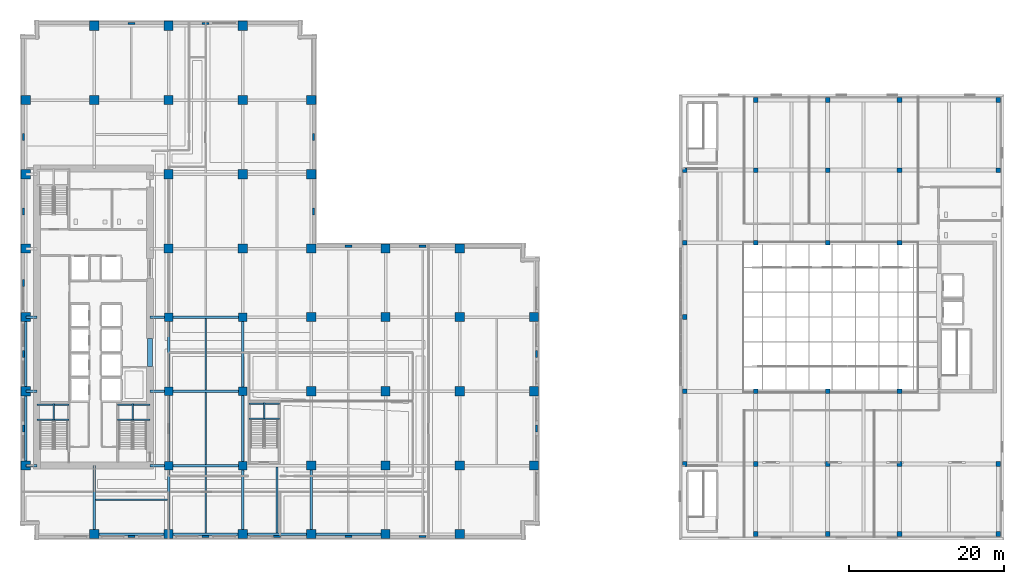
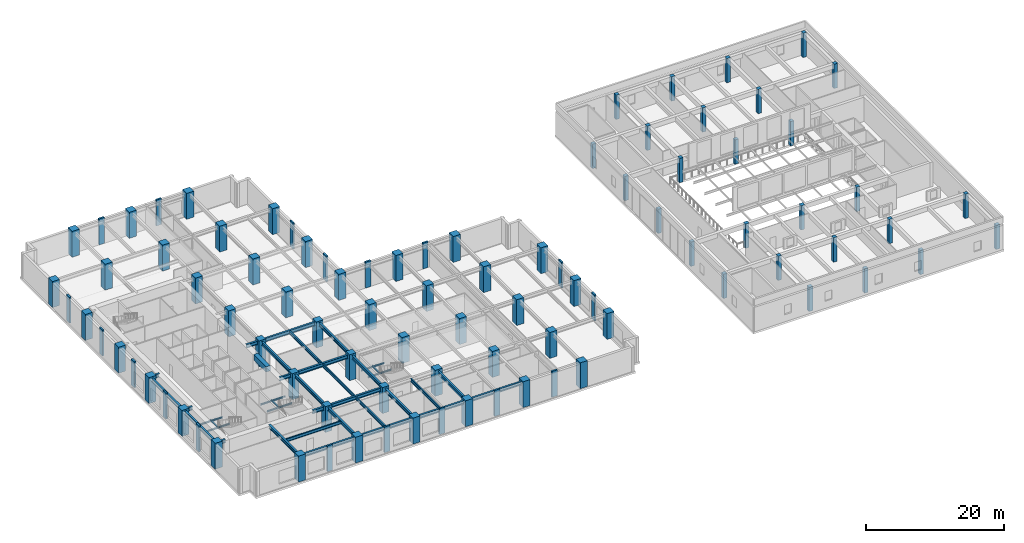
# One storey, part 1 of 21: 90 columns, 38 beams.
"""IFC4 building model written with IfcOpenShell, lengths in metres."""

from ifc_helpers import new_model, si_unit, direction, frame, origin, origin_2d, place, context, subcontext, project, spatial, rectangle, i_section, extrude, material, material_profile, profile_set, type_object, element, save


model = new_model("IFC4")

# Units and contexts
model_context = context("Model", 3, precision=1e-05, world=origin(), true_north=direction((0.0, 1.0)))
body_context = subcontext(model_context, "Body", "Model", "MODEL_VIEW")
ifc_project = project(units=[si_unit("LENGTHUNIT", "METRE"), si_unit("AREAUNIT", "SQUARE_METRE"), si_unit("VOLUMEUNIT", "CUBIC_METRE"), si_unit("PLANEANGLEUNIT", "RADIAN"), si_unit("MASSUNIT", "GRAM", prefix="KILO")], contexts=[model_context])

# Site, building, storey
site_placement = place(None, origin())
site = spatial("IfcSite", under=ifc_project, at=site_placement, CompositionType="ELEMENT")
building_placement = place(site_placement, origin())
building = spatial("IfcBuilding", under=site, at=building_placement, Name="Norrvale University Quadrangle", CompositionType="ELEMENT")
storey_placement = place(building_placement, frame((0.0, 0.0, 19.60009765625)))
storey = spatial("IfcBuildingStorey", under=building, at=storey_placement, Name="L04", CompositionType="ELEMENT", Elevation=19.60009765625)

# Columns
ifc_material_1 = material(Name="Buff Brick Concrete C60/75", Category="concrete")
ifc_material_profile_1 = material_profile(ifc_material_1, rectangle(XDim=0.89990234375, YDim=0.280029296875, at=origin_2d()), Name="Buff Brick Concrete C60/75")
ifc_profile_set_1 = profile_set([ifc_material_profile_1], Name="Buff Brick Concrete C60/75")
column_type_1 = type_object("IfcColumnType", Name="Column Buff Pier 900x280", PredefinedType="PILASTER", material=ifc_profile_set_1)
for number, where, z_axis, x_axis, name in (
    (1, (0.449951171875, 14.39990234375, 0.0), (0.0, 0.0, 1.0), (0.0, 1.0, 0.0), "Exterior Brick Facade Pilaster L04-01"),
    (2, (0.449951171875, 24.0, 0.0), (0.0, 0.0, 1.0), (0.0, 1.0, 0.0), "Exterior Brick Facade Pilaster L04-02"),
    (3, (0.449951171875, 33.199951171875, 0.0), (0.0, 0.0, 1.0), (0.0, 1.0, 0.0), "Exterior Brick Facade Pilaster L04-03"),
    (4, (0.449951171875, 42.449951171875, 0.0), (0.0, 0.0, 1.0), (0.0, 1.0, 0.0), "Exterior Brick Facade Pilaster L04-04"),
    (5, (0.449951171875, 52.050048828125, 0.0), (0.0, 0.0, 1.0), (0.0, 1.0, 0.0), "Exterior Brick Facade Pilaster L04-05"),
    (6, (14.39990234375, 0.449951171875, 0.0), (0.0, 0.0, 1.0), (1.0, 0.0, 0.0), "Exterior Brick Facade Pilaster L04-06"),
    (7, (24.0, 0.449951171875, 0.0), (0.0, 0.0, 1.0), (1.0, 0.0, 0.0), "Exterior Brick Facade Pilaster L04-07"),
    (8, (33.199951171875, 0.449951171875, 0.0), (0.0, 0.0, 1.0), (1.0, 0.0, 0.0), "Exterior Brick Facade Pilaster L04-08"),
    (9, (42.449951171875, 0.449951171875, 0.0), (0.0, 0.0, 1.0), (1.0, 0.0, 0.0), "Exterior Brick Facade Pilaster L04-09"),
    (10, (52.050048828125, 0.449951171875, 0.0), (0.0, 0.0, 1.0), (1.0, 0.0, 0.0), "Exterior Brick Facade Pilaster L04-10"),
    (11, (66.75, 14.39990234375, 0.0), (0.0, 0.0, 1.0), (0.0, 1.0, 0.0), "Exterior Brick Facade Pilaster L04-11"),
    (12, (66.75, 24.0, 0.0), (0.0, 0.0, 1.0), (0.0, 1.0, 0.0), "Exterior Brick Facade Pilaster L04-12"),
    (13, (14.39990234375, 66.75, 0.0), (0.0, 0.0, 1.0), (1.0, 0.0, 0.0), "Exterior Brick Facade Pilaster L04-13"),
    (14, (24.0, 66.75, 0.0), (0.0, 0.0, 1.0), (1.0, 0.0, 0.0), "Exterior Brick Facade Pilaster L04-14"),
    (15, (37.949951171875, 42.449951171875, 0.0), (0.0, 0.0, 1.0), (0.0, 1.0, 0.0), "Exterior Brick Facade Pilaster L04-15"),
    (16, (37.949951171875, 52.050048828125, 0.0), (0.0, 0.0, 1.0), (0.0, 1.0, 0.0), "Exterior Brick Facade Pilaster L04-16"),
    (17, (42.449951171875, 37.949951171875, 0.0), (0.0, 0.0, 1.0), (1.0, 0.0, 0.0), "Exterior Brick Facade Pilaster L04-17"),
    (18, (52.050048828125, 37.949951171875, 0.0), (0.0, 0.0, 1.0), (1.0, 0.0, 0.0), "Exterior Brick Facade Pilaster L04-18"),
):
    element("IfcColumn", number, at=place(storey_placement, frame(where, z_axis=z_axis, x_axis=x_axis)), inside=storey, type_object=column_type_1, Name=name, PredefinedType="PILASTER", context=body_context, shape_type="SweptSolid", body=[
        extrude(rectangle(XDim=0.89990234375, YDim=0.280029296875, at=origin_2d()), origin(), (0.0, 0.0, 1.0), 4.599853515625),
    ])
ifc_material_2 = material(Name="Concrete C60/75", Category="concrete")
ifc_material_profile_2 = material_profile(ifc_material_2, rectangle(XDim=0.60009765625, YDim=0.60009765625, at=origin_2d()), Name="Concrete C60/75")
ifc_profile_set_2 = profile_set([ifc_material_profile_2], Name="Concrete C60/75")
column_type_2 = type_object("IfcColumnType", Name="Column Lib 600x600", PredefinedType="COLUMN", material=ifc_profile_set_2)
for number, where, z_axis, x_axis, name in (
    (19, (85.949951171875, 9.800048828125, 0.0), (0.0, 0.0, 1.0), (1.0, 0.0, 0.0), "Library Column L04-L01"),
    (20, (85.949951171875, 19.199951171875, 0.0), (0.0, 0.0, 1.0), (1.0, 0.0, 0.0), "Library Column L04-L02"),
    (21, (85.949951171875, 28.800048828125, 0.0), (0.0, 0.0, 1.0), (1.0, 0.0, 0.0), "Library Column L04-L03"),
    (22, (85.949951171875, 38.39990234375, 0.0), (0.0, 0.0, 1.0), (1.0, 0.0, 0.0), "Library Column L04-L04"),
    (23, (85.949951171875, 47.800048828125, 0.0), (0.0, 0.0, 1.0), (1.0, 0.0, 0.0), "Library Column L04-L05"),
    (24, (95.10009765625, 0.75, 0.0), (0.0, 0.0, 1.0), (1.0, 0.0, 0.0), "Library Column L04-L06"),
    (25, (95.10009765625, 9.800048828125, 0.0), (0.0, 0.0, 1.0), (1.0, 0.0, 0.0), "Library Column L04-L07"),
    (26, (95.10009765625, 19.199951171875, 0.0), (0.0, 0.0, 1.0), (1.0, 0.0, 0.0), "Library Column L04-L08"),
    (27, (95.10009765625, 38.39990234375, 0.0), (0.0, 0.0, 1.0), (1.0, 0.0, 0.0), "Library Column L04-L09"),
    (28, (95.10009765625, 47.800048828125, 0.0), (0.0, 0.0, 1.0), (1.0, 0.0, 0.0), "Library Column L04-L10"),
    (29, (95.10009765625, 56.85009765625, 0.0), (0.0, 0.0, 1.0), (1.0, 0.0, 0.0), "Library Column L04-L11"),
    (30, (104.39990234375, 0.75, 0.0), (0.0, 0.0, 1.0), (1.0, 0.0, 0.0), "Library Column L04-L12"),
    (31, (104.39990234375, 9.800048828125, 0.0), (0.0, 0.0, 1.0), (1.0, 0.0, 0.0), "Library Column L04-L13"),
    (32, (104.39990234375, 19.199951171875, 0.0), (0.0, 0.0, 1.0), (1.0, 0.0, 0.0), "Library Column L04-L14"),
    (33, (104.39990234375, 38.39990234375, 0.0), (0.0, 0.0, 1.0), (1.0, 0.0, 0.0), "Library Column L04-L15"),
    (34, (104.39990234375, 47.800048828125, 0.0), (0.0, 0.0, 1.0), (1.0, 0.0, 0.0), "Library Column L04-L16"),
    (35, (104.39990234375, 56.85009765625, 0.0), (0.0, 0.0, 1.0), (1.0, 0.0, 0.0), "Library Column L04-L17"),
    (36, (113.699951171875, 0.75, 0.0), (0.0, 0.0, 1.0), (1.0, 0.0, 0.0), "Library Column L04-L18"),
    (37, (113.699951171875, 9.800048828125, 0.0), (0.0, 0.0, 1.0), (1.0, 0.0, 0.0), "Library Column L04-L19"),
    (38, (113.699951171875, 19.199951171875, 0.0), (0.0, 0.0, 1.0), (1.0, 0.0, 0.0), "Library Column L04-L20"),
    (39, (113.699951171875, 38.39990234375, 0.0), (0.0, 0.0, 1.0), (1.0, 0.0, 0.0), "Library Column L04-L21"),
    (40, (113.699951171875, 47.800048828125, 0.0), (0.0, 0.0, 1.0), (1.0, 0.0, 0.0), "Library Column L04-L22"),
    (41, (113.699951171875, 56.85009765625, 0.0), (0.0, 0.0, 1.0), (1.0, 0.0, 0.0), "Library Column L04-L23"),
    (42, (126.449951171875, 0.75, 0.0), (0.0, 0.0, 1.0), (1.0, 0.0, 0.0), "Library Column L04-L24"),
    (43, (126.449951171875, 9.800048828125, 0.0), (0.0, 0.0, 1.0), (1.0, 0.0, 0.0), "Library Column L04-L25"),
    (44, (126.449951171875, 47.800048828125, 0.0), (0.0, 0.0, 1.0), (1.0, 0.0, 0.0), "Library Column L04-L26"),
    (45, (126.449951171875, 56.85009765625, 0.0), (0.0, 0.0, 1.0), (1.0, 0.0, 0.0), "Library Column L04-L27"),
):
    element("IfcColumn", number, at=place(storey_placement, frame(where, z_axis=z_axis, x_axis=x_axis)), inside=storey, type_object=column_type_2, Name=name, PredefinedType="COLUMN", context=body_context, shape_type="SweptSolid", body=[
        extrude(rectangle(XDim=0.60009765625, YDim=0.60009765625, at=origin_2d()), origin(), (0.0, 0.0, 1.0), 4.31982421875),
    ])
ifc_material_3 = material(Name="Concrete C80/95", Category="concrete")
ifc_material_profile_3 = material_profile(ifc_material_3, rectangle(XDim=1.10009765625, YDim=1.10009765625, at=origin_2d()), Name="Concrete C80/95")
ifc_profile_set_3 = profile_set([ifc_material_profile_3], Name="Concrete C80/95")
column_type_3 = type_object("IfcColumnType", Name="Column Tower Z1 1100x1100", PredefinedType="COLUMN", material=ifc_profile_set_3)
for number, where, z_axis, x_axis, name in (
    (46, (19.199951171875, 9.60009765625, 0.0), (0.0, 0.0, 1.0), (1.0, 0.0, 0.0), "Tower Column L04-T11"),
    (47, (19.199951171875, 19.199951171875, 0.0), (0.0, 0.0, 1.0), (1.0, 0.0, 0.0), "Tower Column L04-T12"),
    (48, (19.199951171875, 28.800048828125, 0.0), (0.0, 0.0, 1.0), (1.0, 0.0, 0.0), "Tower Column L04-T13"),
    (49, (28.800048828125, 9.60009765625, 0.0), (0.0, 0.0, 1.0), (1.0, 0.0, 0.0), "Tower Column L04-T19"),
    (50, (28.800048828125, 19.199951171875, 0.0), (0.0, 0.0, 1.0), (1.0, 0.0, 0.0), "Tower Column L04-T20"),
    (51, (28.800048828125, 28.800048828125, 0.0), (0.0, 0.0, 1.0), (1.0, 0.0, 0.0), "Tower Column L04-T21"),
):
    element("IfcColumn", number, at=place(storey_placement, frame(where, z_axis=z_axis, x_axis=x_axis)), inside=storey, type_object=column_type_3, Name=name, PredefinedType="COLUMN", context=body_context, shape_type="SweptSolid", body=[
        extrude(rectangle(XDim=1.10009765625, YDim=1.10009765625, at=origin_2d()), origin(), (0.0, 0.0, 1.0), 4.599853515625),
    ])
ifc_material_profile_4 = material_profile(ifc_material_3, rectangle(XDim=1.199951171875, YDim=1.199951171875, at=origin_2d()), Name="Concrete C80/95")
ifc_profile_set_4 = profile_set([ifc_material_profile_4], Name="Concrete C80/95")
column_type_4 = type_object("IfcColumnType", Name="Column Tower Z1 1200x1200", PredefinedType="COLUMN", material=ifc_profile_set_4)
for number, where, z_axis, x_axis, name in (
    (52, (0.75, 9.60009765625, 0.0), (0.0, 0.0, 1.0), (1.0, 0.0, 0.0), "Tower Column L04-T01"),
    (53, (0.75, 19.199951171875, 0.0), (0.0, 0.0, 1.0), (1.0, 0.0, 0.0), "Tower Column L04-T02"),
    (54, (0.75, 28.800048828125, 0.0), (0.0, 0.0, 1.0), (1.0, 0.0, 0.0), "Tower Column L04-T03"),
    (55, (0.75, 37.64990234375, 0.0), (0.0, 0.0, 1.0), (1.0, 0.0, 0.0), "Tower Column L04-T04"),
    (56, (0.75, 47.25, 0.0), (0.0, 0.0, 1.0), (1.0, 0.0, 0.0), "Tower Column L04-T05"),
    (57, (0.75, 56.85009765625, 0.0), (0.0, 0.0, 1.0), (1.0, 0.0, 0.0), "Tower Column L04-T06"),
    (58, (9.60009765625, 0.75, 0.0), (0.0, 0.0, 1.0), (1.0, 0.0, 0.0), "Tower Column L04-T07"),
    (59, (9.60009765625, 56.85009765625, 0.0), (0.0, 0.0, 1.0), (1.0, 0.0, 0.0), "Tower Column L04-T08"),
    (60, (9.60009765625, 66.449951171875, 0.0), (0.0, 0.0, 1.0), (1.0, 0.0, 0.0), "Tower Column L04-T09"),
    (61, (19.199951171875, 0.75, 0.0), (0.0, 0.0, 1.0), (1.0, 0.0, 0.0), "Tower Column L04-T10"),
    (62, (19.199951171875, 37.64990234375, 0.0), (0.0, 0.0, 1.0), (1.0, 0.0, 0.0), "Tower Column L04-T14"),
    (63, (19.199951171875, 47.25, 0.0), (0.0, 0.0, 1.0), (1.0, 0.0, 0.0), "Tower Column L04-T15"),
    (64, (19.199951171875, 56.85009765625, 0.0), (0.0, 0.0, 1.0), (1.0, 0.0, 0.0), "Tower Column L04-T16"),
    (65, (19.199951171875, 66.449951171875, 0.0), (0.0, 0.0, 1.0), (1.0, 0.0, 0.0), "Tower Column L04-T17"),
    (66, (28.800048828125, 0.75, 0.0), (0.0, 0.0, 1.0), (1.0, 0.0, 0.0), "Tower Column L04-T18"),
    (67, (28.800048828125, 37.64990234375, 0.0), (0.0, 0.0, 1.0), (1.0, 0.0, 0.0), "Tower Column L04-T22"),
    (68, (28.800048828125, 47.25, 0.0), (0.0, 0.0, 1.0), (1.0, 0.0, 0.0), "Tower Column L04-T23"),
    (69, (28.800048828125, 56.85009765625, 0.0), (0.0, 0.0, 1.0), (1.0, 0.0, 0.0), "Tower Column L04-T24"),
    (70, (28.800048828125, 66.449951171875, 0.0), (0.0, 0.0, 1.0), (1.0, 0.0, 0.0), "Tower Column L04-T25"),
    (71, (37.64990234375, 0.75, 0.0), (0.0, 0.0, 1.0), (1.0, 0.0, 0.0), "Tower Column L04-T26"),
    (72, (37.64990234375, 9.60009765625, 0.0), (0.0, 0.0, 1.0), (1.0, 0.0, 0.0), "Tower Column L04-T27"),
    (73, (37.64990234375, 19.199951171875, 0.0), (0.0, 0.0, 1.0), (1.0, 0.0, 0.0), "Tower Column L04-T28"),
    (74, (37.64990234375, 28.800048828125, 0.0), (0.0, 0.0, 1.0), (1.0, 0.0, 0.0), "Tower Column L04-T29"),
    (75, (37.64990234375, 37.64990234375, 0.0), (0.0, 0.0, 1.0), (1.0, 0.0, 0.0), "Tower Column L04-T30"),
    (76, (37.64990234375, 47.25, 0.0), (0.0, 0.0, 1.0), (1.0, 0.0, 0.0), "Tower Column L04-T31"),
    (77, (37.64990234375, 56.85009765625, 0.0), (0.0, 0.0, 1.0), (1.0, 0.0, 0.0), "Tower Column L04-T32"),
    (78, (47.25, 0.75, 0.0), (0.0, 0.0, 1.0), (1.0, 0.0, 0.0), "Tower Column L04-T33"),
    (79, (47.25, 9.60009765625, 0.0), (0.0, 0.0, 1.0), (1.0, 0.0, 0.0), "Tower Column L04-T34"),
    (80, (47.25, 19.199951171875, 0.0), (0.0, 0.0, 1.0), (1.0, 0.0, 0.0), "Tower Column L04-T35"),
    (81, (47.25, 28.800048828125, 0.0), (0.0, 0.0, 1.0), (1.0, 0.0, 0.0), "Tower Column L04-T36"),
    (82, (47.25, 37.64990234375, 0.0), (0.0, 0.0, 1.0), (1.0, 0.0, 0.0), "Tower Column L04-T37"),
    (83, (56.85009765625, 0.75, 0.0), (0.0, 0.0, 1.0), (1.0, 0.0, 0.0), "Tower Column L04-T38"),
    (84, (56.85009765625, 9.60009765625, 0.0), (0.0, 0.0, 1.0), (1.0, 0.0, 0.0), "Tower Column L04-T39"),
    (85, (56.85009765625, 19.199951171875, 0.0), (0.0, 0.0, 1.0), (1.0, 0.0, 0.0), "Tower Column L04-T40"),
    (86, (56.85009765625, 28.800048828125, 0.0), (0.0, 0.0, 1.0), (1.0, 0.0, 0.0), "Tower Column L04-T41"),
    (87, (56.85009765625, 37.64990234375, 0.0), (0.0, 0.0, 1.0), (1.0, 0.0, 0.0), "Tower Column L04-T42"),
    (88, (66.449951171875, 9.60009765625, 0.0), (0.0, 0.0, 1.0), (1.0, 0.0, 0.0), "Tower Column L04-T43"),
    (89, (66.449951171875, 19.199951171875, 0.0), (0.0, 0.0, 1.0), (1.0, 0.0, 0.0), "Tower Column L04-T44"),
    (90, (66.449951171875, 28.800048828125, 0.0), (0.0, 0.0, 1.0), (1.0, 0.0, 0.0), "Tower Column L04-T45"),
):
    element("IfcColumn", number, at=place(storey_placement, frame(where, z_axis=z_axis, x_axis=x_axis)), inside=storey, type_object=column_type_4, Name=name, PredefinedType="COLUMN", context=body_context, shape_type="SweptSolid", body=[
        extrude(rectangle(XDim=1.199951171875, YDim=1.199951171875, at=origin_2d()), origin(), (0.0, 0.0, 1.0), 4.599853515625),
    ])

# Beams
ifc_material_4 = material(Name="Steel 350W", Category="steel")
ifc_material_profile_5 = material_profile(ifc_material_4, i_section(OverallWidth=0.324951171875, OverallDepth=0.615966796875, WebThickness=0.013916015625, FlangeThickness=0.021484375, FilletRadius=0.01611328125, at=origin_2d()), Name="Steel 350W")
ifc_profile_set_5 = profile_set([ifc_material_profile_5], Name="Steel 350W")
beam_type_1 = type_object("IfcBeamType", Name="Beam Belt W610x174", PredefinedType="BEAM", material=ifc_profile_set_5)
beam_1_placement = place(storey_placement, frame((9.60009765625, 0.75, 4.031982421875), z_axis=(1.0, 0.0, 0.0), x_axis=(0.0, 1.0, 0.0)))
element("IfcBeam", 91, at=beam_1_placement, inside=storey, type_object=beam_type_1, Name="Beam Belt W610x174 BM-L04-GX001", PredefinedType="BEAM", context=body_context, shape_type="SweptSolid", body=[
    extrude(i_section(OverallWidth=0.324951171875, OverallDepth=0.615966796875, WebThickness=0.013916015625, FlangeThickness=0.021484375, FilletRadius=0.01611328125, at=origin_2d()), origin(), (0.0, 0.0, 1.0), 9.599853515625),
])
beam_2_placement = place(storey_placement, frame((19.199951171875, 0.75, 4.031982421875), z_axis=(1.0, 0.0, 0.0), x_axis=(0.0, 1.0, 0.0)))
element("IfcBeam", 92, at=beam_2_placement, inside=storey, type_object=beam_type_1, Name="Beam Belt W610x174 BM-L04-GX002", PredefinedType="BEAM", context=body_context, shape_type="SweptSolid", body=[
    extrude(i_section(OverallWidth=0.324951171875, OverallDepth=0.615966796875, WebThickness=0.013916015625, FlangeThickness=0.021484375, FilletRadius=0.01611328125, at=origin_2d()), origin(), (0.0, 0.0, 1.0), 9.60009765625),
])
beam_3_placement = place(storey_placement, frame((28.800048828125, 0.75, 4.031982421875), z_axis=(1.0, 0.0, 0.0), x_axis=(0.0, 1.0, 0.0)))
element("IfcBeam", 93, at=beam_3_placement, inside=storey, type_object=beam_type_1, Name="Beam Belt W610x174 BM-L04-GX003", PredefinedType="BEAM", context=body_context, shape_type="SweptSolid", body=[
    extrude(i_section(OverallWidth=0.324951171875, OverallDepth=0.615966796875, WebThickness=0.013916015625, FlangeThickness=0.021484375, FilletRadius=0.01611328125, at=origin_2d()), origin(), (0.0, 0.0, 1.0), 8.849853515625),
])
for number, where, z_axis, x_axis, name in (
    (94, (37.64990234375, 0.75, 4.031982421875), (1.0, 0.0, 0.0), (0.0, 1.0, 0.0), "Beam Belt W610x174 BM-L04-GX004"),
    (95, (19.199951171875, 9.60009765625, 4.031982421875), (1.0, 0.0, 0.0), (0.0, 1.0, 0.0), "Beam Belt W610x174 BM-L04-GX006"),
    (96, (19.199951171875, 19.199951171875, 4.031982421875), (1.0, 0.0, 0.0), (0.0, 1.0, 0.0), "Beam Belt W610x174 BM-L04-GX011"),
    (97, (19.199951171875, 28.800048828125, 4.031982421875), (1.0, 0.0, 0.0), (0.0, 1.0, 0.0), "Beam Belt W610x174 BM-L04-GX016"),
):
    element("IfcBeam", number, at=place(storey_placement, frame(where, z_axis=z_axis, x_axis=x_axis)), inside=storey, type_object=beam_type_1, Name=name, PredefinedType="BEAM", context=body_context, shape_type="SweptSolid", body=[
        extrude(i_section(OverallWidth=0.324951171875, OverallDepth=0.615966796875, WebThickness=0.013916015625, FlangeThickness=0.021484375, FilletRadius=0.01611328125, at=origin_2d()), origin(), (0.0, 0.0, 1.0), 9.60009765625),
    ])
beam_4_placement = place(storey_placement, frame((0.75, 9.60009765625, 4.031982421875), z_axis=(0.0, 1.0, 0.0), x_axis=(-1.0, 0.0, 0.0)))
element("IfcBeam", 98, at=beam_4_placement, inside=storey, type_object=beam_type_1, Name="Beam Belt W610x174 BM-L04-GY033", PredefinedType="BEAM", context=body_context, shape_type="SweptSolid", body=[
    extrude(i_section(OverallWidth=0.324951171875, OverallDepth=0.615966796875, WebThickness=0.013916015625, FlangeThickness=0.021484375, FilletRadius=0.01611328125, at=origin_2d()), origin(), (0.0, 0.0, 1.0), 9.599853515625),
])
beam_5_placement = place(storey_placement, frame((0.75, 19.199951171875, 4.031982421875), z_axis=(0.0, 1.0, 0.0), x_axis=(-1.0, 0.0, 0.0)))
element("IfcBeam", 99, at=beam_5_placement, inside=storey, type_object=beam_type_1, Name="Beam Belt W610x174 BM-L04-GY034", PredefinedType="BEAM", context=body_context, shape_type="SweptSolid", body=[
    extrude(i_section(OverallWidth=0.324951171875, OverallDepth=0.615966796875, WebThickness=0.013916015625, FlangeThickness=0.021484375, FilletRadius=0.01611328125, at=origin_2d()), origin(), (0.0, 0.0, 1.0), 9.60009765625),
])
beam_6_placement = place(storey_placement, frame((19.199951171875, 0.75, 4.031982421875), z_axis=(0.0, 1.0, 0.0), x_axis=(-1.0, 0.0, 0.0)))
element("IfcBeam", 100, at=beam_6_placement, inside=storey, type_object=beam_type_1, Name="Beam Belt W610x174 BM-L04-GY039", PredefinedType="BEAM", context=body_context, shape_type="SweptSolid", body=[
    extrude(i_section(OverallWidth=0.324951171875, OverallDepth=0.615966796875, WebThickness=0.013916015625, FlangeThickness=0.021484375, FilletRadius=0.01611328125, at=origin_2d()), origin(), (0.0, 0.0, 1.0), 8.85009765625),
])
beam_7_placement = place(storey_placement, frame((19.199951171875, 9.60009765625, 4.031982421875), z_axis=(0.0, 1.0, 0.0), x_axis=(-1.0, 0.0, 0.0)))
element("IfcBeam", 101, at=beam_7_placement, inside=storey, type_object=beam_type_1, Name="Beam Belt W610x174 BM-L04-GY040", PredefinedType="BEAM", context=body_context, shape_type="SweptSolid", body=[
    extrude(i_section(OverallWidth=0.324951171875, OverallDepth=0.615966796875, WebThickness=0.013916015625, FlangeThickness=0.021484375, FilletRadius=0.01611328125, at=origin_2d()), origin(), (0.0, 0.0, 1.0), 9.599853515625),
])
beam_8_placement = place(storey_placement, frame((19.199951171875, 19.199951171875, 4.031982421875), z_axis=(0.0, 1.0, 0.0), x_axis=(-1.0, 0.0, 0.0)))
element("IfcBeam", 102, at=beam_8_placement, inside=storey, type_object=beam_type_1, Name="Beam Belt W610x174 BM-L04-GY041", PredefinedType="BEAM", context=body_context, shape_type="SweptSolid", body=[
    extrude(i_section(OverallWidth=0.324951171875, OverallDepth=0.615966796875, WebThickness=0.013916015625, FlangeThickness=0.021484375, FilletRadius=0.01611328125, at=origin_2d()), origin(), (0.0, 0.0, 1.0), 9.60009765625),
])
beam_9_placement = place(storey_placement, frame((28.800048828125, 0.75, 4.031982421875), z_axis=(0.0, 1.0, 0.0), x_axis=(-1.0, 0.0, 0.0)))
element("IfcBeam", 103, at=beam_9_placement, inside=storey, type_object=beam_type_1, Name="Beam Belt W610x174 BM-L04-GY046", PredefinedType="BEAM", context=body_context, shape_type="SweptSolid", body=[
    extrude(i_section(OverallWidth=0.324951171875, OverallDepth=0.615966796875, WebThickness=0.013916015625, FlangeThickness=0.021484375, FilletRadius=0.01611328125, at=origin_2d()), origin(), (0.0, 0.0, 1.0), 8.85009765625),
])
beam_10_placement = place(storey_placement, frame((28.800048828125, 9.60009765625, 4.031982421875), z_axis=(0.0, 1.0, 0.0), x_axis=(-1.0, 0.0, 0.0)))
element("IfcBeam", 104, at=beam_10_placement, inside=storey, type_object=beam_type_1, Name="Beam Belt W610x174 BM-L04-GY047", PredefinedType="BEAM", context=body_context, shape_type="SweptSolid", body=[
    extrude(i_section(OverallWidth=0.324951171875, OverallDepth=0.615966796875, WebThickness=0.013916015625, FlangeThickness=0.021484375, FilletRadius=0.01611328125, at=origin_2d()), origin(), (0.0, 0.0, 1.0), 9.599853515625),
])
beam_11_placement = place(storey_placement, frame((28.800048828125, 19.199951171875, 4.031982421875), z_axis=(0.0, 1.0, 0.0), x_axis=(-1.0, 0.0, 0.0)))
element("IfcBeam", 105, at=beam_11_placement, inside=storey, type_object=beam_type_1, Name="Beam Belt W610x174 BM-L04-GY048", PredefinedType="BEAM", context=body_context, shape_type="SweptSolid", body=[
    extrude(i_section(OverallWidth=0.324951171875, OverallDepth=0.615966796875, WebThickness=0.013916015625, FlangeThickness=0.021484375, FilletRadius=0.01611328125, at=origin_2d()), origin(), (0.0, 0.0, 1.0), 9.60009765625),
])
beam_12_placement = place(storey_placement, frame((37.64990234375, 0.75, 4.031982421875), z_axis=(0.0, 1.0, 0.0), x_axis=(-1.0, 0.0, 0.0)))
element("IfcBeam", 106, at=beam_12_placement, inside=storey, type_object=beam_type_1, Name="Beam Belt W610x174 BM-L04-GY053", PredefinedType="BEAM", context=body_context, shape_type="SweptSolid", body=[
    extrude(i_section(OverallWidth=0.324951171875, OverallDepth=0.615966796875, WebThickness=0.013916015625, FlangeThickness=0.021484375, FilletRadius=0.01611328125, at=origin_2d()), origin(), (0.0, 0.0, 1.0), 8.85009765625),
])
beam_13_placement = place(storey_placement, frame((0.75, 9.60009765625, 4.031982421875), z_axis=(1.0, 0.0, 0.0), x_axis=(0.0, 1.0, 0.0)))
element("IfcBeam", 107, at=beam_13_placement, inside=storey, type_object=beam_type_1, Name="Beam Belt W610x174 BM-L04-GCW069", PredefinedType="BEAM", context=body_context, shape_type="SweptSolid", body=[
    extrude(i_section(OverallWidth=0.324951171875, OverallDepth=0.615966796875, WebThickness=0.013916015625, FlangeThickness=0.021484375, FilletRadius=0.01611328125, at=origin_2d()), origin(), (0.0, 0.0, 1.0), 1.449951171875),
])
beam_14_placement = place(storey_placement, frame((16.800048828125, 9.60009765625, 4.031982421875), z_axis=(1.0, 0.0, 0.0), x_axis=(0.0, 1.0, 0.0)))
element("IfcBeam", 108, at=beam_14_placement, inside=storey, type_object=beam_type_1, Name="Beam Belt W610x174 BM-L04-GCE070", PredefinedType="BEAM", context=body_context, shape_type="SweptSolid", body=[
    extrude(i_section(OverallWidth=0.324951171875, OverallDepth=0.615966796875, WebThickness=0.013916015625, FlangeThickness=0.021484375, FilletRadius=0.01611328125, at=origin_2d()), origin(), (0.0, 0.0, 1.0), 2.39990234375),
])
beam_15_placement = place(storey_placement, frame((0.75, 19.199951171875, 4.031982421875), z_axis=(1.0, 0.0, 0.0), x_axis=(0.0, 1.0, 0.0)))
element("IfcBeam", 109, at=beam_15_placement, inside=storey, type_object=beam_type_1, Name="Beam Belt W610x174 BM-L04-GCW071", PredefinedType="BEAM", context=body_context, shape_type="SweptSolid", body=[
    extrude(i_section(OverallWidth=0.324951171875, OverallDepth=0.615966796875, WebThickness=0.013916015625, FlangeThickness=0.021484375, FilletRadius=0.01611328125, at=origin_2d()), origin(), (0.0, 0.0, 1.0), 1.449951171875),
])
beam_16_placement = place(storey_placement, frame((16.800048828125, 19.199951171875, 4.031982421875), z_axis=(1.0, 0.0, 0.0), x_axis=(0.0, 1.0, 0.0)))
element("IfcBeam", 110, at=beam_16_placement, inside=storey, type_object=beam_type_1, Name="Beam Belt W610x174 BM-L04-GCE072", PredefinedType="BEAM", context=body_context, shape_type="SweptSolid", body=[
    extrude(i_section(OverallWidth=0.324951171875, OverallDepth=0.615966796875, WebThickness=0.013916015625, FlangeThickness=0.021484375, FilletRadius=0.01611328125, at=origin_2d()), origin(), (0.0, 0.0, 1.0), 2.39990234375),
])
beam_17_placement = place(storey_placement, frame((0.75, 28.800048828125, 4.031982421875), z_axis=(1.0, 0.0, 0.0), x_axis=(0.0, 1.0, 0.0)))
element("IfcBeam", 111, at=beam_17_placement, inside=storey, type_object=beam_type_1, Name="Beam Belt W610x174 BM-L04-GCW073", PredefinedType="BEAM", context=body_context, shape_type="SweptSolid", body=[
    extrude(i_section(OverallWidth=0.324951171875, OverallDepth=0.615966796875, WebThickness=0.013916015625, FlangeThickness=0.021484375, FilletRadius=0.01611328125, at=origin_2d()), origin(), (0.0, 0.0, 1.0), 1.449951171875),
])
beam_18_placement = place(storey_placement, frame((16.800048828125, 28.800048828125, 4.031982421875), z_axis=(1.0, 0.0, 0.0), x_axis=(0.0, 1.0, 0.0)))
element("IfcBeam", 112, at=beam_18_placement, inside=storey, type_object=beam_type_1, Name="Beam Belt W610x174 BM-L04-GCE074", PredefinedType="BEAM", context=body_context, shape_type="SweptSolid", body=[
    extrude(i_section(OverallWidth=0.324951171875, OverallDepth=0.615966796875, WebThickness=0.013916015625, FlangeThickness=0.021484375, FilletRadius=0.01611328125, at=origin_2d()), origin(), (0.0, 0.0, 1.0), 2.39990234375),
])
beam_19_placement = place(storey_placement, frame((9.60009765625, 0.75, 4.031982421875), z_axis=(0.0, 1.0, 0.0), x_axis=(-1.0, 0.0, 0.0)))
element("IfcBeam", 113, at=beam_19_placement, inside=storey, type_object=beam_type_1, Name="Beam Belt W610x174 BM-L04-GCS102", PredefinedType="BEAM", context=body_context, shape_type="SweptSolid", body=[
    extrude(i_section(OverallWidth=0.324951171875, OverallDepth=0.615966796875, WebThickness=0.013916015625, FlangeThickness=0.021484375, FilletRadius=0.01611328125, at=origin_2d()), origin(), (0.0, 0.0, 1.0), 8.85009765625),
])
ifc_material_profile_6 = material_profile(ifc_material_3, rectangle(XDim=0.699951171875, YDim=0.949951171875, at=origin_2d()), Name="Concrete C80/95")
ifc_profile_set_6 = profile_set([ifc_material_profile_6], Name="Concrete C80/95")
beam_type_2 = type_object("IfcBeamType", Name="Beam Core Link 700x950", PredefinedType="LINTEL", material=ifc_profile_set_6)
beam_20_placement = place(storey_placement, frame((16.800048828125, 22.39990234375, 3.864990234375), z_axis=(0.0, 1.0, 0.0), x_axis=(-1.0, 0.0, 0.0)))
element("IfcBeam", 114, at=beam_20_placement, inside=storey, type_object=beam_type_2, Name="Core Coupling Lintel Beam L04-1", PredefinedType="LINTEL", context=body_context, shape_type="SweptSolid", body=[
    extrude(rectangle(XDim=0.699951171875, YDim=0.949951171875, at=origin_2d()), origin(), (0.0, 0.0, 1.0), 3.60009765625),
])
ifc_material_profile_7 = material_profile(ifc_material_4, i_section(OverallWidth=0.2119140625, OverallDepth=0.5439453125, WebThickness=0.01318359375, FlangeThickness=0.021240234375, FilletRadius=0.013916015625, at=origin_2d()), Name="Steel 350W")
ifc_profile_set_7 = profile_set([ifc_material_profile_7], Name="Steel 350W")
beam_type_3 = type_object("IfcBeamType", Name="Beam Floor W530x123", PredefinedType="BEAM", material=ifc_profile_set_7)
beam_21_placement = place(storey_placement, frame((24.0, 0.91259765625, 4.06787109375), z_axis=(0.0, 1.0, 0.0), x_axis=(-1.0, 0.0, 0.0)))
element("IfcBeam", 115, at=beam_21_placement, inside=storey, type_object=beam_type_3, Name="Beam Floor W530x123 BM-L04-J080", PredefinedType="BEAM", context=body_context, shape_type="SweptSolid", body=[
    extrude(i_section(OverallWidth=0.2119140625, OverallDepth=0.5439453125, WebThickness=0.01318359375, FlangeThickness=0.021240234375, FilletRadius=0.013916015625, at=origin_2d()), origin(), (0.0, 0.0, 1.0), 8.52490234375),
])
beam_22_placement = place(storey_placement, frame((24.0, 9.762451171875, 4.06787109375), z_axis=(0.0, 1.0, 0.0), x_axis=(-1.0, 0.0, 0.0)))
element("IfcBeam", 116, at=beam_22_placement, inside=storey, type_object=beam_type_3, Name="Beam Floor W530x123 BM-L04-J081", PredefinedType="BEAM", context=body_context, shape_type="SweptSolid", body=[
    extrude(i_section(OverallWidth=0.2119140625, OverallDepth=0.5439453125, WebThickness=0.01318359375, FlangeThickness=0.021240234375, FilletRadius=0.013916015625, at=origin_2d()), origin(), (0.0, 0.0, 1.0), 9.275146484375),
])
beam_23_placement = place(storey_placement, frame((24.0, 19.362548828125, 4.06787109375), z_axis=(0.0, 1.0, 0.0), x_axis=(-1.0, 0.0, 0.0)))
element("IfcBeam", 117, at=beam_23_placement, inside=storey, type_object=beam_type_3, Name="Beam Floor W530x123 BM-L04-J082", PredefinedType="BEAM", context=body_context, shape_type="SweptSolid", body=[
    extrude(i_section(OverallWidth=0.2119140625, OverallDepth=0.5439453125, WebThickness=0.01318359375, FlangeThickness=0.021240234375, FilletRadius=0.013916015625, at=origin_2d()), origin(), (0.0, 0.0, 1.0), 9.27490234375),
])
beam_24_placement = place(storey_placement, frame((33.22509765625, 0.91259765625, 4.06787109375), z_axis=(0.0, 1.0, 0.0), x_axis=(-1.0, 0.0, 0.0)))
element("IfcBeam", 118, at=beam_24_placement, inside=storey, type_object=beam_type_3, Name="Beam Floor W530x123 BM-L04-J087", PredefinedType="BEAM", context=body_context, shape_type="SweptSolid", body=[
    extrude(i_section(OverallWidth=0.2119140625, OverallDepth=0.5439453125, WebThickness=0.01318359375, FlangeThickness=0.021240234375, FilletRadius=0.013916015625, at=origin_2d()), origin(), (0.0, 0.0, 1.0), 8.52490234375),
])
beam_25_placement = place(storey_placement, frame((9.762451171875, 5.199951171875, 4.06787109375), z_axis=(1.0, 0.0, 0.0), x_axis=(0.0, 1.0, 0.0)))
element("IfcBeam", 119, at=beam_25_placement, inside=storey, type_object=beam_type_3, Name="Beam Floor W530x123 BM-L04-JCS103", PredefinedType="BEAM", context=body_context, shape_type="SweptSolid", body=[
    extrude(i_section(OverallWidth=0.2119140625, OverallDepth=0.5439453125, WebThickness=0.01318359375, FlangeThickness=0.021240234375, FilletRadius=0.013916015625, at=origin_2d()), origin(), (0.0, 0.0, 1.0), 9.275146484375),
])
ifc_material_profile_8 = material_profile(ifc_material_4, i_section(OverallWidth=0.201904296875, OverallDepth=0.2470703125, WebThickness=0.00732421875, FlangeThickness=0.010986328125, FilletRadius=0.011962890625, at=origin_2d()), Name="Steel 350W")
ifc_profile_set_8 = profile_set([ifc_material_profile_8], Name="Steel 350W")
beam_type_4 = type_object("IfcBeamType", Name="Beam Stair W250x49", PredefinedType="BEAM", material=ifc_profile_set_8)
for number, where, z_axis, x_axis, name in (
    (120, (2.199951171875, 15.510009765625, 1.976318359375), (1.0, 0.0, 0.0), (0.0, 1.0, 0.0), "Stair Mid-Landing Front Beam ST-01 L04"),
    (121, (2.199951171875, 17.469970703125, 1.976318359375), (1.0, 0.0, 0.0), (0.0, 1.0, 0.0), "Stair Mid-Landing Rear Beam ST-01 L04"),
):
    element("IfcBeam", number, at=place(storey_placement, frame(where, z_axis=z_axis, x_axis=x_axis)), inside=storey, type_object=beam_type_4, Name=name, PredefinedType="BEAM", context=body_context, shape_type="SweptSolid", body=[
        extrude(i_section(OverallWidth=0.201904296875, OverallDepth=0.2470703125, WebThickness=0.00732421875, FlangeThickness=0.010986328125, FilletRadius=0.011962890625, at=origin_2d()), origin(), (0.0, 0.0, 1.0), 4.14013671875),
    ])
for number, where, z_axis, x_axis, name in (
    (122, (12.610107421875, 15.510009765625, 1.976318359375), (1.0, 0.0, 0.0), (0.0, 1.0, 0.0), "Stair Mid-Landing Front Beam ST-03 L04"),
    (123, (12.610107421875, 17.469970703125, 1.976318359375), (1.0, 0.0, 0.0), (0.0, 1.0, 0.0), "Stair Mid-Landing Rear Beam ST-03 L04"),
):
    element("IfcBeam", number, at=place(storey_placement, frame(where, z_axis=z_axis, x_axis=x_axis)), inside=storey, type_object=beam_type_4, Name=name, PredefinedType="BEAM", context=body_context, shape_type="SweptSolid", body=[
        extrude(i_section(OverallWidth=0.201904296875, OverallDepth=0.2470703125, WebThickness=0.00732421875, FlangeThickness=0.010986328125, FilletRadius=0.011962890625, at=origin_2d()), origin(), (0.0, 0.0, 1.0), 4.18994140625),
    ])
for number, where, z_axis, x_axis, name in (
    (124, (29.610107421875, 15.659912109375, 1.976318359375), (1.0, 0.0, 0.0), (0.0, 1.0, 0.0), "Stair Mid-Landing Front Beam ST-04 L04"),
    (125, (29.610107421875, 17.6201171875, 1.976318359375), (1.0, 0.0, 0.0), (0.0, 1.0, 0.0), "Stair Mid-Landing Rear Beam ST-04 L04"),
):
    element("IfcBeam", number, at=place(storey_placement, frame(where, z_axis=z_axis, x_axis=x_axis)), inside=storey, type_object=beam_type_4, Name=name, PredefinedType="BEAM", context=body_context, shape_type="SweptSolid", body=[
        extrude(i_section(OverallWidth=0.201904296875, OverallDepth=0.2470703125, WebThickness=0.00732421875, FlangeThickness=0.010986328125, FilletRadius=0.011962890625, at=origin_2d()), origin(), (0.0, 0.0, 1.0), 3.929931640625),
    ])
ifc_material_profile_9 = material_profile(ifc_material_4, i_section(OverallWidth=0.202880859375, OverallDepth=0.202880859375, WebThickness=0.007080078125, FlangeThickness=0.010986328125, FilletRadius=0.010009765625, at=origin_2d()), Name="Steel 350W")
ifc_profile_set_9 = profile_set([ifc_material_profile_9], Name="Steel 350W")
beam_type_5 = type_object("IfcBeamType", Name="Beam Trim W200x46", PredefinedType="BEAM", material=ifc_profile_set_9)
for number, where, z_axis, x_axis, name in (
    (126, (4.375, 15.510009765625, 1.998291015625), (0.0, 1.0, 0.0), (-1.0, 0.0, 0.0), "Stair Mid-Landing Cross Beam ST-01 L04"),
    (127, (14.574951171875, 15.510009765625, 1.998291015625), (0.0, 1.0, 0.0), (-1.0, 0.0, 0.0), "Stair Mid-Landing Cross Beam ST-03 L04"),
    (128, (31.574951171875, 15.659912109375, 1.998291015625), (0.0, 1.0, 0.0), (-1.0, 0.0, 0.0), "Stair Mid-Landing Cross Beam ST-04 L04"),
):
    element("IfcBeam", number, at=place(storey_placement, frame(where, z_axis=z_axis, x_axis=x_axis)), inside=storey, type_object=beam_type_5, Name=name, PredefinedType="BEAM", context=body_context, shape_type="SweptSolid", body=[
        extrude(i_section(OverallWidth=0.202880859375, OverallDepth=0.202880859375, WebThickness=0.007080078125, FlangeThickness=0.010986328125, FilletRadius=0.010009765625, at=origin_2d()), origin(), (0.0, 0.0, 1.0), 2.280029296875),
    ])

save(model, "model.ifc")
